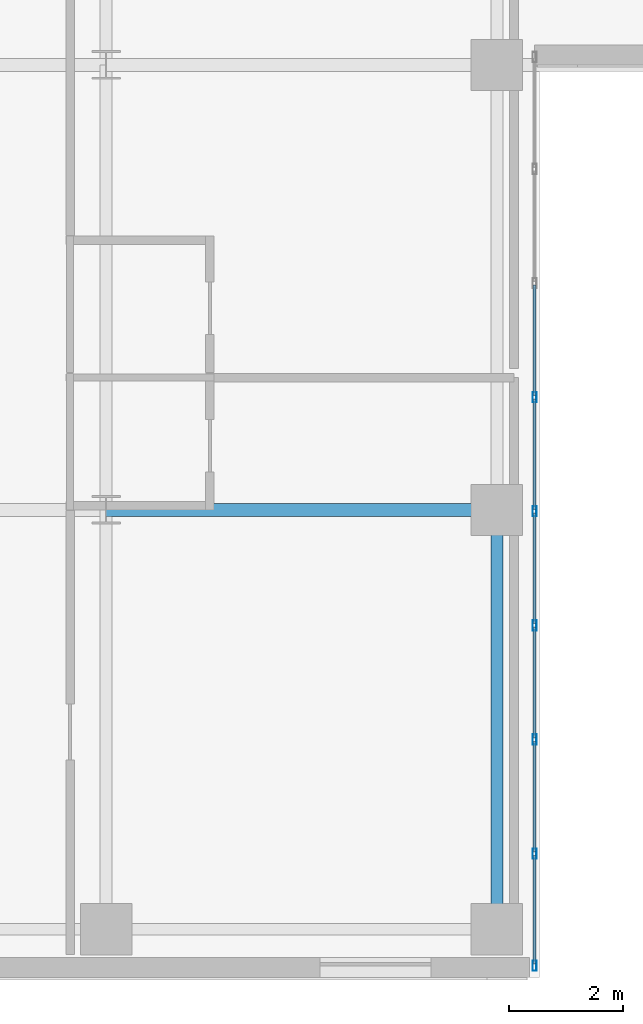
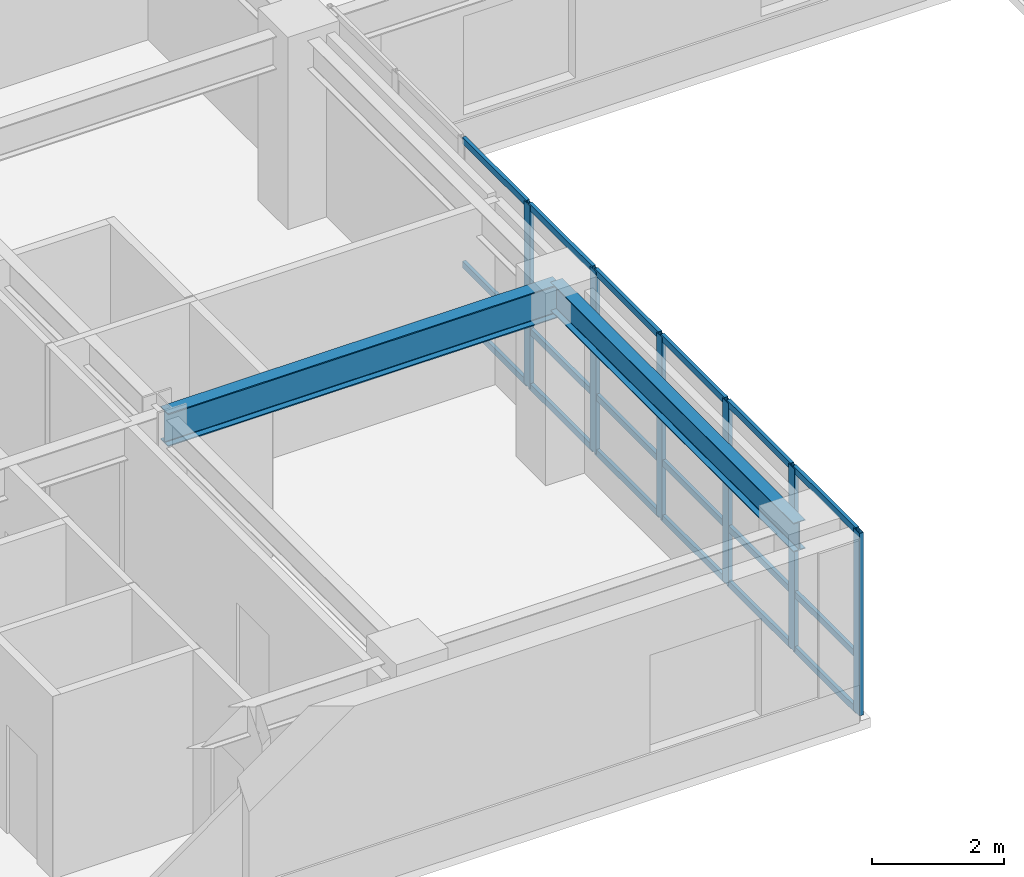
# One storey, part 2 of 25: 24 members, 2 beams, 1 element without a shape of its own.
"""IFC4 building model written with IfcOpenShell, lengths in metres."""

from ifc_helpers import new_model, si_unit, direction, frame, origin, origin_2d, place, context, subcontext, project, spatial, hollow_rectangle, i_section, extrude, source, transform, mapped, material, layer, layer_set, material_profile, profile_set, type_object, type_shapes, element, aggregate, save


model = new_model("IFC4")

# Units and contexts
model_context = context("Model", 3, precision=1e-05, world=origin(), true_north=direction((0.0, 1.0)))
body_context = subcontext(model_context, "Body", "Model", "MODEL_VIEW")
ifc_project = project(units=[si_unit("LENGTHUNIT", "METRE"), si_unit("AREAUNIT", "SQUARE_METRE"), si_unit("VOLUMEUNIT", "CUBIC_METRE"), si_unit("PLANEANGLEUNIT", "RADIAN"), si_unit("MASSUNIT", "GRAM", prefix="KILO")], contexts=[model_context])

# Site, building, storey
site_placement = place(None, origin())
site = spatial("IfcSite", under=ifc_project, at=site_placement, CompositionType="ELEMENT")
building_placement = place(site_placement, origin())
building = spatial("IfcBuilding", under=site, at=building_placement, Name="Tolvann Quenvar Hotel", CompositionType="ELEMENT")
storey_placement = place(building_placement, frame((0.0, 0.0, 111.550048828125)))
storey = spatial("IfcBuildingStorey", under=building, at=storey_placement, Name="L28", CompositionType="ELEMENT", Elevation=111.550048828125)

# Beams
ifc_material_1 = material(Name="Steel Grade 350", Category="steel")
ifc_material_profile_1 = material_profile(ifc_material_1, i_section(OverallWidth=0.22900390625, OverallDepth=0.612060546875, WebThickness=0.011962890625, FlangeThickness=0.01953125, FilletRadius=0.013916015625, at=origin_2d()), Name="610UB125")
ifc_profile_set_1 = profile_set([ifc_material_profile_1], Name="Steel Grade 350")
beam_type_1 = type_object("IfcBeamType", Name="BM_GIRD_610UB125", PredefinedType="BEAM", material=ifc_profile_set_1)
shared_shape_1 = source(origin(), body_context, "Body", "SweptSolid", [
    extrude(i_section(OverallWidth=0.22900390625, OverallDepth=0.612060546875, WebThickness=0.011962890625, FlangeThickness=0.01953125, FilletRadius=0.013916015625, at=origin_2d()), origin(), (0.0, 0.0, 1.0), 6.85009765625),
])
type_shapes(beam_type_1, [shared_shape_1])
beam_1_placement = place(storey_placement, frame((15.199951171875, 8.199951171875, 3.06396484375), z_axis=(1.0, 0.0, 0.0), x_axis=(0.0, 1.0, 0.0)))
element("IfcBeam", 1, at=beam_1_placement, inside=storey, type_object=beam_type_1, Name="BM-L28-EW-3-D3-E3", PredefinedType="BEAM", context=body_context, shape_type="MappedRepresentation", body=[
    mapped(shared_shape_1, transform((0.0, 0.0, 0.0), x_axis=(1.0, 0.0, 0.0), y_axis=(0.0, 1.0, 0.0), z_axis=(0.0, 0.0, 1.0), scale=1.0)),
])
ifc_material_profile_2 = material_profile(ifc_material_1, i_section(OverallWidth=0.208984375, OverallDepth=0.532958984375, WebThickness=0.01025390625, FlangeThickness=0.015625, FilletRadius=0.013916015625, at=origin_2d()), Name="530UB92")
ifc_profile_set_2 = profile_set([ifc_material_profile_2], Name="Steel Grade 350")
beam_type_2 = type_object("IfcBeamType", Name="BM_GIRD_530UB92", PredefinedType="BEAM", material=ifc_profile_set_2)
shared_shape_2 = source(origin(), body_context, "Body", "SweptSolid", [
    extrude(i_section(OverallWidth=0.208984375, OverallDepth=0.532958984375, WebThickness=0.01025390625, FlangeThickness=0.015625, FilletRadius=0.013916015625, at=origin_2d()), origin(), (0.0, 0.0, 1.0), 7.349853515625),
])
type_shapes(beam_type_2, [shared_shape_2])
beam_2_placement = place(storey_placement, frame((22.050048828125, 0.85009765625, 3.103515625), z_axis=(0.0, 1.0, 0.0), x_axis=(-1.0, 0.0, 0.0)))
element("IfcBeam", 2, at=beam_2_placement, inside=storey, type_object=beam_type_2, Name="BM-L28-NS-E2-E3", PredefinedType="BEAM", context=body_context, shape_type="MappedRepresentation", body=[
    mapped(shared_shape_2, transform((0.0, 0.0, 0.0), x_axis=(1.0, 0.0, 0.0), y_axis=(0.0, 1.0, 0.0), z_axis=(0.0, 0.0, 1.0), scale=1.0)),
])

# Curtain wall, members
ifc_material_2 = material(Name="Thermally broken anodised architectural aluminium 6063-T6 and laminated low-E glass", Category="aluminium")
ifc_layer = layer(ifc_material_2, 0.179931640625)
ifc_layer_set = layer_set([ifc_layer], Name="Thermally broken anodised architectural aluminium 6063-T6 and laminated low-E glass")
curtain_wall_type = type_object("IfcCurtainWallType", Name="CW_SYS_SLOT_03", PredefinedType="USERDEFINED", material=ifc_layer_set)
curtain_wall_placement = place(storey_placement, origin())
curtain_wall = element("IfcCurtainWall", 3, at=curtain_wall_placement, inside=storey, type_object=curtain_wall_type, Name="Curtain Wall CW-SLOT-03 (CWR-L28-E05)", ObjectType="UNITISED CURTAIN WALL", PredefinedType="USERDEFINED")
ifc_material_3 = material(Name="Anodised architectural aluminium 6063-T6 framing", Category="aluminium")
ifc_material_profile_3 = material_profile(ifc_material_3, hollow_rectangle(XDim=0.06005859375, YDim=0.1201171875, WallThickness=0.00341796875, at=origin_2d()), Name="120x60x3.5RHS")
ifc_profile_set_3 = profile_set([ifc_material_profile_3], Name="Anodised architectural aluminium 6063-T6 framing")
member_type_1 = type_object("IfcMemberType", Name="CW_TRAN_120x60", PredefinedType="USERDEFINED", material=ifc_profile_set_3)
shared_shape_3 = source(origin(), body_context, "Body", "SweptSolid", [
    extrude(hollow_rectangle(XDim=0.06005859375, YDim=0.1201171875, WallThickness=0.00341796875, at=origin_2d()), origin(), (0.0, 0.0, 1.0), 1.894775390625),
])
member_1_placement = place(storey_placement, frame((22.7099609375, 0.2451171875, 0.030029296875), z_axis=(0.0, 1.0, 0.0), x_axis=(-1.0, 0.0, 0.0)))
member_1 = element("IfcMember", 4, at=member_1_placement, type_object=member_type_1, Name="CW-SLOT-03 transom 1.1", ObjectType="TRANSOM", PredefinedType="USERDEFINED", context=body_context, shape_type="MappedRepresentation", body=[
    mapped(shared_shape_3, transform((0.0, 0.0, 0.0), x_axis=(1.0, 0.0, 0.0), y_axis=(0.0, 1.0, 0.0), z_axis=(0.0, 0.0, 1.0), scale=1.0)),
])
member_2_placement = place(storey_placement, frame((22.7099609375, 0.2451171875, 1.050048828125), z_axis=(0.0, 1.0, 0.0), x_axis=(-1.0, 0.0, 0.0)))
member_2 = element("IfcMember", 5, at=member_2_placement, type_object=member_type_1, Name="CW-SLOT-03 transom 1.2", ObjectType="TRANSOM", PredefinedType="USERDEFINED", context=body_context, shape_type="MappedRepresentation", body=[
    mapped(shared_shape_3, transform((0.0, 0.0, 0.0), x_axis=(1.0, 0.0, 0.0), y_axis=(0.0, 1.0, 0.0), z_axis=(0.0, 0.0, 1.0), scale=1.0)),
])
member_3_placement = place(storey_placement, frame((22.7099609375, 0.2451171875, 3.33984375), z_axis=(0.0, 1.0, 0.0), x_axis=(-1.0, 0.0, 0.0)))
member_3 = element("IfcMember", 6, at=member_3_placement, type_object=member_type_1, Name="CW-SLOT-03 transom 1.3", ObjectType="TRANSOM", PredefinedType="USERDEFINED", context=body_context, shape_type="MappedRepresentation", body=[
    mapped(shared_shape_3, transform((0.0, 0.0, 0.0), x_axis=(1.0, 0.0, 0.0), y_axis=(0.0, 1.0, 0.0), z_axis=(0.0, 0.0, 1.0), scale=1.0)),
])
shared_shape_4 = source(origin(), body_context, "Body", "SweptSolid", [
    extrude(hollow_rectangle(XDim=0.06005859375, YDim=0.1201171875, WallThickness=0.00341796875, at=origin_2d()), origin(), (0.0, 0.0, 1.0), 1.929931640625),
])
type_shapes(member_type_1, [shared_shape_3, shared_shape_4])
member_4_placement = place(storey_placement, frame((22.7099609375, 2.2099609375, 0.030029296875), z_axis=(0.0, 1.0, 0.0), x_axis=(-1.0, 0.0, 0.0)))
member_4 = element("IfcMember", 7, at=member_4_placement, type_object=member_type_1, Name="CW-SLOT-03 transom 2.1", ObjectType="TRANSOM", PredefinedType="USERDEFINED", context=body_context, shape_type="MappedRepresentation", body=[
    mapped(shared_shape_4, transform((0.0, 0.0, 0.0), x_axis=(1.0, 0.0, 0.0), y_axis=(0.0, 1.0, 0.0), z_axis=(0.0, 0.0, 1.0), scale=1.0)),
])
member_5_placement = place(storey_placement, frame((22.7099609375, 2.2099609375, 1.050048828125), z_axis=(0.0, 1.0, 0.0), x_axis=(-1.0, 0.0, 0.0)))
member_5 = element("IfcMember", 8, at=member_5_placement, type_object=member_type_1, Name="CW-SLOT-03 transom 2.2", ObjectType="TRANSOM", PredefinedType="USERDEFINED", context=body_context, shape_type="MappedRepresentation", body=[
    mapped(shared_shape_4, transform((0.0, 0.0, 0.0), x_axis=(1.0, 0.0, 0.0), y_axis=(0.0, 1.0, 0.0), z_axis=(0.0, 0.0, 1.0), scale=1.0)),
])
member_6_placement = place(storey_placement, frame((22.7099609375, 2.2099609375, 3.33984375), z_axis=(0.0, 1.0, 0.0), x_axis=(-1.0, 0.0, 0.0)))
member_6 = element("IfcMember", 9, at=member_6_placement, type_object=member_type_1, Name="CW-SLOT-03 transom 2.3", ObjectType="TRANSOM", PredefinedType="USERDEFINED", context=body_context, shape_type="MappedRepresentation", body=[
    mapped(shared_shape_4, transform((0.0, 0.0, 0.0), x_axis=(1.0, 0.0, 0.0), y_axis=(0.0, 1.0, 0.0), z_axis=(0.0, 0.0, 1.0), scale=1.0)),
])
member_7_placement = place(storey_placement, frame((22.7099609375, 4.2099609375, 0.030029296875), z_axis=(0.0, 1.0, 0.0), x_axis=(-1.0, 0.0, 0.0)))
member_7 = element("IfcMember", 10, at=member_7_placement, type_object=member_type_1, Name="CW-SLOT-03 transom 3.1", ObjectType="TRANSOM", PredefinedType="USERDEFINED", context=body_context, shape_type="MappedRepresentation", body=[
    mapped(shared_shape_4, transform((0.0, 0.0, 0.0), x_axis=(1.0, 0.0, 0.0), y_axis=(0.0, 1.0, 0.0), z_axis=(0.0, 0.0, 1.0), scale=1.0)),
])
member_8_placement = place(storey_placement, frame((22.7099609375, 4.2099609375, 1.050048828125), z_axis=(0.0, 1.0, 0.0), x_axis=(-1.0, 0.0, 0.0)))
member_8 = element("IfcMember", 11, at=member_8_placement, type_object=member_type_1, Name="CW-SLOT-03 transom 3.2", ObjectType="TRANSOM", PredefinedType="USERDEFINED", context=body_context, shape_type="MappedRepresentation", body=[
    mapped(shared_shape_4, transform((0.0, 0.0, 0.0), x_axis=(1.0, 0.0, 0.0), y_axis=(0.0, 1.0, 0.0), z_axis=(0.0, 0.0, 1.0), scale=1.0)),
])
member_9_placement = place(storey_placement, frame((22.7099609375, 4.2099609375, 3.33984375), z_axis=(0.0, 1.0, 0.0), x_axis=(-1.0, 0.0, 0.0)))
member_9 = element("IfcMember", 12, at=member_9_placement, type_object=member_type_1, Name="CW-SLOT-03 transom 3.3", ObjectType="TRANSOM", PredefinedType="USERDEFINED", context=body_context, shape_type="MappedRepresentation", body=[
    mapped(shared_shape_4, transform((0.0, 0.0, 0.0), x_axis=(1.0, 0.0, 0.0), y_axis=(0.0, 1.0, 0.0), z_axis=(0.0, 0.0, 1.0), scale=1.0)),
])
member_10_placement = place(storey_placement, frame((22.7099609375, 6.2099609375, 0.030029296875), z_axis=(0.0, 1.0, 0.0), x_axis=(-1.0, 0.0, 0.0)))
member_10 = element("IfcMember", 13, at=member_10_placement, type_object=member_type_1, Name="CW-SLOT-03 transom 4.1", ObjectType="TRANSOM", PredefinedType="USERDEFINED", context=body_context, shape_type="MappedRepresentation", body=[
    mapped(shared_shape_4, transform((0.0, 0.0, 0.0), x_axis=(1.0, 0.0, 0.0), y_axis=(0.0, 1.0, 0.0), z_axis=(0.0, 0.0, 1.0), scale=1.0)),
])
member_11_placement = place(storey_placement, frame((22.7099609375, 6.2099609375, 1.050048828125), z_axis=(0.0, 1.0, 0.0), x_axis=(-1.0, 0.0, 0.0)))
member_11 = element("IfcMember", 14, at=member_11_placement, type_object=member_type_1, Name="CW-SLOT-03 transom 4.2", ObjectType="TRANSOM", PredefinedType="USERDEFINED", context=body_context, shape_type="MappedRepresentation", body=[
    mapped(shared_shape_4, transform((0.0, 0.0, 0.0), x_axis=(1.0, 0.0, 0.0), y_axis=(0.0, 1.0, 0.0), z_axis=(0.0, 0.0, 1.0), scale=1.0)),
])
member_12_placement = place(storey_placement, frame((22.7099609375, 6.2099609375, 3.33984375), z_axis=(0.0, 1.0, 0.0), x_axis=(-1.0, 0.0, 0.0)))
member_12 = element("IfcMember", 15, at=member_12_placement, type_object=member_type_1, Name="CW-SLOT-03 transom 4.3", ObjectType="TRANSOM", PredefinedType="USERDEFINED", context=body_context, shape_type="MappedRepresentation", body=[
    mapped(shared_shape_4, transform((0.0, 0.0, 0.0), x_axis=(1.0, 0.0, 0.0), y_axis=(0.0, 1.0, 0.0), z_axis=(0.0, 0.0, 1.0), scale=1.0)),
])
member_13_placement = place(storey_placement, frame((22.7099609375, 8.2099609375, 0.030029296875), z_axis=(0.0, 1.0, 0.0), x_axis=(-1.0, 0.0, 0.0)))
member_13 = element("IfcMember", 16, at=member_13_placement, type_object=member_type_1, Name="CW-SLOT-03 transom 5.1", ObjectType="TRANSOM", PredefinedType="USERDEFINED", context=body_context, shape_type="MappedRepresentation", body=[
    mapped(shared_shape_4, transform((0.0, 0.0, 0.0), x_axis=(1.0, 0.0, 0.0), y_axis=(0.0, 1.0, 0.0), z_axis=(0.0, 0.0, 1.0), scale=1.0)),
])
member_14_placement = place(storey_placement, frame((22.7099609375, 8.2099609375, 1.050048828125), z_axis=(0.0, 1.0, 0.0), x_axis=(-1.0, 0.0, 0.0)))
member_14 = element("IfcMember", 17, at=member_14_placement, type_object=member_type_1, Name="CW-SLOT-03 transom 5.2", ObjectType="TRANSOM", PredefinedType="USERDEFINED", context=body_context, shape_type="MappedRepresentation", body=[
    mapped(shared_shape_4, transform((0.0, 0.0, 0.0), x_axis=(1.0, 0.0, 0.0), y_axis=(0.0, 1.0, 0.0), z_axis=(0.0, 0.0, 1.0), scale=1.0)),
])
member_15_placement = place(storey_placement, frame((22.7099609375, 8.2099609375, 3.33984375), z_axis=(0.0, 1.0, 0.0), x_axis=(-1.0, 0.0, 0.0)))
member_15 = element("IfcMember", 18, at=member_15_placement, type_object=member_type_1, Name="CW-SLOT-03 transom 5.3", ObjectType="TRANSOM", PredefinedType="USERDEFINED", context=body_context, shape_type="MappedRepresentation", body=[
    mapped(shared_shape_4, transform((0.0, 0.0, 0.0), x_axis=(1.0, 0.0, 0.0), y_axis=(0.0, 1.0, 0.0), z_axis=(0.0, 0.0, 1.0), scale=1.0)),
])
member_16_placement = place(storey_placement, frame((22.7099609375, 10.2099609375, 0.030029296875), z_axis=(0.0, 1.0, 0.0), x_axis=(-1.0, 0.0, 0.0)))
member_16 = element("IfcMember", 19, at=member_16_placement, type_object=member_type_1, Name="CW-SLOT-03 transom 6.1", ObjectType="TRANSOM", PredefinedType="USERDEFINED", context=body_context, shape_type="MappedRepresentation", body=[
    mapped(shared_shape_4, transform((0.0, 0.0, 0.0), x_axis=(1.0, 0.0, 0.0), y_axis=(0.0, 1.0, 0.0), z_axis=(0.0, 0.0, 1.0), scale=1.0)),
])
member_17_placement = place(storey_placement, frame((22.7099609375, 10.2099609375, 1.050048828125), z_axis=(0.0, 1.0, 0.0), x_axis=(-1.0, 0.0, 0.0)))
member_17 = element("IfcMember", 20, at=member_17_placement, type_object=member_type_1, Name="CW-SLOT-03 transom 6.2", ObjectType="TRANSOM", PredefinedType="USERDEFINED", context=body_context, shape_type="MappedRepresentation", body=[
    mapped(shared_shape_4, transform((0.0, 0.0, 0.0), x_axis=(1.0, 0.0, 0.0), y_axis=(0.0, 1.0, 0.0), z_axis=(0.0, 0.0, 1.0), scale=1.0)),
])
member_18_placement = place(storey_placement, frame((22.7099609375, 10.2099609375, 3.33984375), z_axis=(0.0, 1.0, 0.0), x_axis=(-1.0, 0.0, 0.0)))
member_18 = element("IfcMember", 21, at=member_18_placement, type_object=member_type_1, Name="CW-SLOT-03 transom 6.3", ObjectType="TRANSOM", PredefinedType="USERDEFINED", context=body_context, shape_type="MappedRepresentation", body=[
    mapped(shared_shape_4, transform((0.0, 0.0, 0.0), x_axis=(1.0, 0.0, 0.0), y_axis=(0.0, 1.0, 0.0), z_axis=(0.0, 0.0, 1.0), scale=1.0)),
])
ifc_material_profile_4 = material_profile(ifc_material_3, hollow_rectangle(XDim=0.070068359375, YDim=0.179931640625, WallThickness=0.00390625, at=origin_2d()), Name="180x70x4RHS")
ifc_profile_set_4 = profile_set([ifc_material_profile_4], Name="Anodised architectural aluminium 6063-T6 framing")
member_type_2 = type_object("IfcMemberType", Name="CW_MULL_180x70", PredefinedType="MULLION", material=ifc_profile_set_4)
shared_shape_5 = source(origin(), body_context, "Body", "SweptSolid", [
    extrude(hollow_rectangle(XDim=0.070068359375, YDim=0.179931640625, WallThickness=0.00390625, at=origin_2d()), origin(), (0.0, 0.0, 1.0), 3.369873046875),
])
type_shapes(member_type_2, [shared_shape_5])
member_19_placement = place(storey_placement, frame((22.7099609375, 0.2099609375, 0.0), z_axis=(0.0, 0.0, 1.0), x_axis=(-1.0, 0.0, 0.0)))
member_19 = element("IfcMember", 22, at=member_19_placement, type_object=member_type_2, Name="CW-SLOT-03 mullion 1", PredefinedType="MULLION", context=body_context, shape_type="MappedRepresentation", body=[
    mapped(shared_shape_5, transform((0.0, 0.0, 0.0), x_axis=(1.0, 0.0, 0.0), y_axis=(0.0, 1.0, 0.0), z_axis=(0.0, 0.0, 1.0), scale=1.0)),
])
member_20_placement = place(storey_placement, frame((22.7099609375, 2.175048828125, 0.0), z_axis=(0.0, 0.0, 1.0), x_axis=(-1.0, 0.0, 0.0)))
member_20 = element("IfcMember", 23, at=member_20_placement, type_object=member_type_2, Name="CW-SLOT-03 mullion 2", PredefinedType="MULLION", context=body_context, shape_type="MappedRepresentation", body=[
    mapped(shared_shape_5, transform((0.0, 0.0, 0.0), x_axis=(1.0, 0.0, 0.0), y_axis=(0.0, 1.0, 0.0), z_axis=(0.0, 0.0, 1.0), scale=1.0)),
])
member_21_placement = place(storey_placement, frame((22.7099609375, 4.175048828125, 0.0), z_axis=(0.0, 0.0, 1.0), x_axis=(-1.0, 0.0, 0.0)))
member_21 = element("IfcMember", 24, at=member_21_placement, type_object=member_type_2, Name="CW-SLOT-03 mullion 3", PredefinedType="MULLION", context=body_context, shape_type="MappedRepresentation", body=[
    mapped(shared_shape_5, transform((0.0, 0.0, 0.0), x_axis=(1.0, 0.0, 0.0), y_axis=(0.0, 1.0, 0.0), z_axis=(0.0, 0.0, 1.0), scale=1.0)),
])
member_22_placement = place(storey_placement, frame((22.7099609375, 6.175048828125, 0.0), z_axis=(0.0, 0.0, 1.0), x_axis=(-1.0, 0.0, 0.0)))
member_22 = element("IfcMember", 25, at=member_22_placement, type_object=member_type_2, Name="CW-SLOT-03 mullion 4", PredefinedType="MULLION", context=body_context, shape_type="MappedRepresentation", body=[
    mapped(shared_shape_5, transform((0.0, 0.0, 0.0), x_axis=(1.0, 0.0, 0.0), y_axis=(0.0, 1.0, 0.0), z_axis=(0.0, 0.0, 1.0), scale=1.0)),
])
member_23_placement = place(storey_placement, frame((22.7099609375, 8.175048828125, 0.0), z_axis=(0.0, 0.0, 1.0), x_axis=(-1.0, 0.0, 0.0)))
member_23 = element("IfcMember", 26, at=member_23_placement, type_object=member_type_2, Name="CW-SLOT-03 mullion 5", PredefinedType="MULLION", context=body_context, shape_type="MappedRepresentation", body=[
    mapped(shared_shape_5, transform((0.0, 0.0, 0.0), x_axis=(1.0, 0.0, 0.0), y_axis=(0.0, 1.0, 0.0), z_axis=(0.0, 0.0, 1.0), scale=1.0)),
])
member_24_placement = place(storey_placement, frame((22.7099609375, 10.175048828125, 0.0), z_axis=(0.0, 0.0, 1.0), x_axis=(-1.0, 0.0, 0.0)))
member_24 = element("IfcMember", 27, at=member_24_placement, type_object=member_type_2, Name="CW-SLOT-03 mullion 6", PredefinedType="MULLION", context=body_context, shape_type="MappedRepresentation", body=[
    mapped(shared_shape_5, transform((0.0, 0.0, 0.0), x_axis=(1.0, 0.0, 0.0), y_axis=(0.0, 1.0, 0.0), z_axis=(0.0, 0.0, 1.0), scale=1.0)),
])
aggregate(curtain_wall, [member_19, member_20, member_21, member_22, member_23, member_24, member_1, member_2, member_3, member_4, member_5, member_6, member_7, member_8, member_9, member_10, member_11, member_12, member_13, member_14, member_15, member_16, member_17, member_18])

save(model, "model.ifc")
